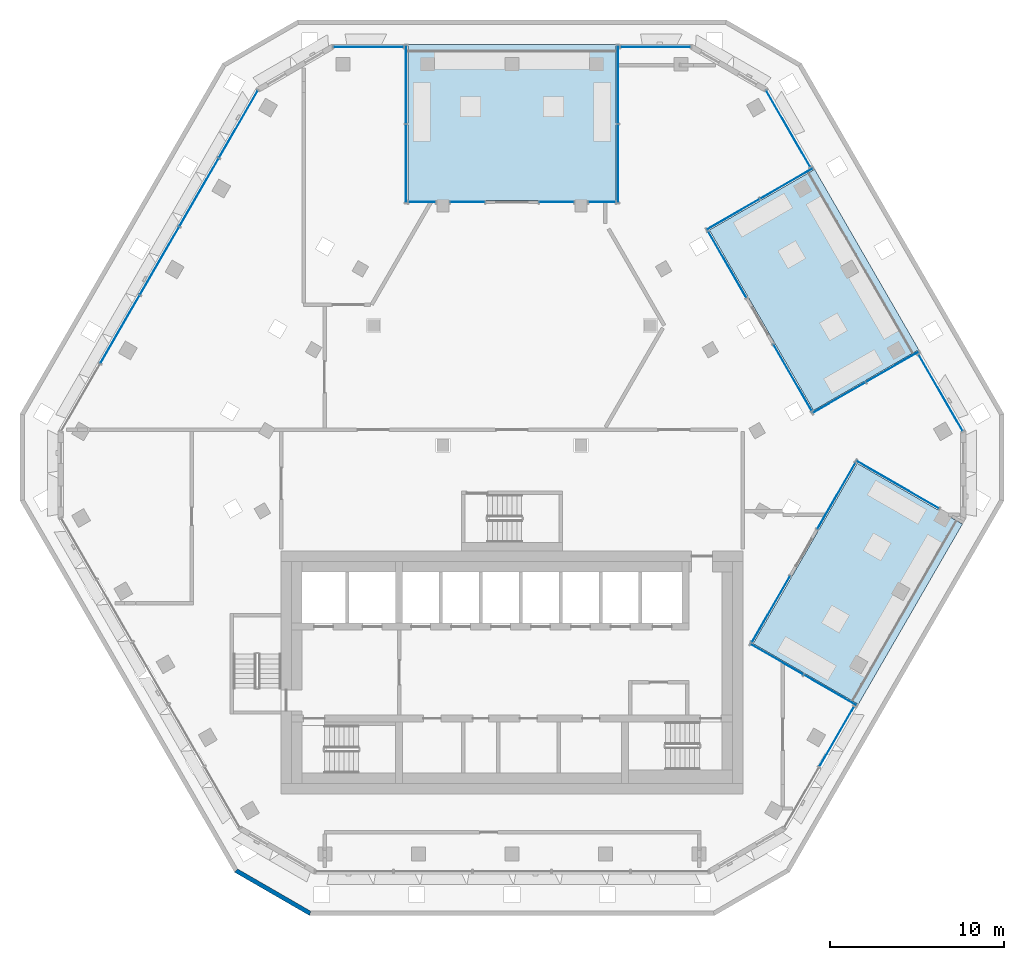
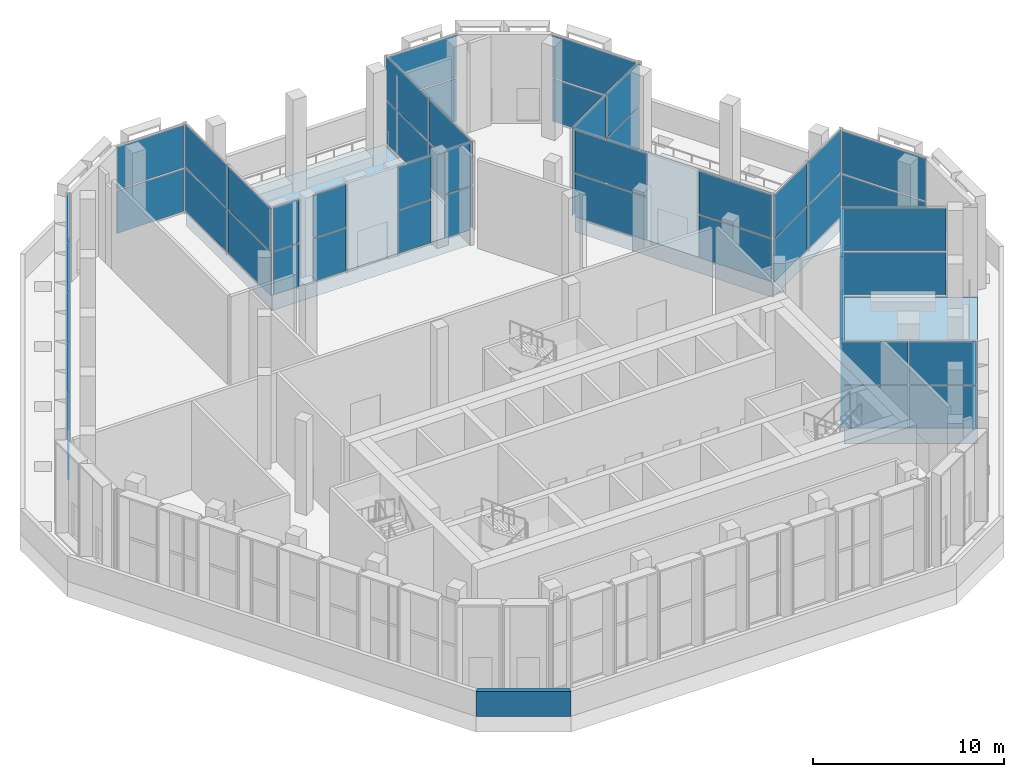
# One storey, part 7 of 23: 55 plates, 3 slabs, 1 wall, 20 elements without a shape of their own.
"""IFC4 building model written with IfcOpenShell, lengths in metres."""

from ifc_helpers import new_model, si_unit, direction, frame, origin, origin_2d, place, context, subcontext, project, spatial, polyline, rectangle, outline, extrude, material, layer, layer_set, type_object, element, aggregate, save


model = new_model("IFC4")

# Units and contexts
model_context = context("Model", 3, precision=1e-05, world=origin(), true_north=direction((0.0, 1.0)))
body_context = subcontext(model_context, "Body", "Model", "MODEL_VIEW")
ifc_project = project(units=[si_unit("LENGTHUNIT", "METRE"), si_unit("AREAUNIT", "SQUARE_METRE"), si_unit("VOLUMEUNIT", "CUBIC_METRE"), si_unit("PLANEANGLEUNIT", "RADIAN"), si_unit("MASSUNIT", "GRAM", prefix="KILO")], contexts=[model_context])

# Site, building, storey
site_placement = place(None, origin())
site = spatial("IfcSite", under=ifc_project, at=site_placement, CompositionType="ELEMENT")
building_placement = place(site_placement, origin())
building = spatial("IfcBuilding", under=site, at=building_placement, Name="Beryl Residences", CompositionType="ELEMENT")
storey_placement = place(building_placement, frame((0.0, 0.0, 157.199951171875)))
storey = spatial("IfcBuildingStorey", under=building, at=storey_placement, Name="L48", CompositionType="ELEMENT", Elevation=157.199951171875)

# Curtain wall, plates
ifc_material_1 = material(Name="Aluminium and clear glass", Category="aluminium")
curtain_wall_type = type_object("IfcCurtainWallType", Name="CW3 sky garden glazing glazed wall", PredefinedType="NOTDEFINED", material=ifc_material_1)
curtain_wall_1_placement = place(storey_placement, origin())
curtain_wall_1 = element("IfcCurtainWall", 1, at=curtain_wall_1_placement, inside=storey, type_object=curtain_wall_type, Name="CW3 L48 N", PredefinedType="NOTDEFINED")
ifc_material_2 = material(Name="Clear laminated glass", Category="glass")
ifc_layer_1 = layer(ifc_material_2, 0.028076171875)
ifc_layer_set_1 = layer_set([ifc_layer_1], Name="CW3-P glazing panel 28 mm")
plate_type = type_object("IfcPlateType", Name="CW3-P glazing panel 28 mm", PredefinedType="CURTAIN_PANEL", material=ifc_layer_set_1)
plate_1_placement = place(storey_placement, frame((8.263427734375, 24.050048828125, 0.080078125), z_axis=(0.0, 0.0, 1.0), x_axis=(-1.0, 0.0, 0.0)))
plate_1 = element("IfcPlate", 2, at=plate_1_placement, type_object=plate_type, Name="CW3 panel 1.1", PredefinedType="CURTAIN_PANEL", context=body_context, shape_type="SweptSolid", body=[
    extrude(rectangle(XDim=4.01708984375, YDim=0.028076171875, at=origin_2d()), origin(), (0.0, 0.0, 1.0), 2.72998046875),
])
plate_2_placement = place(storey_placement, frame((8.263427734375, 24.050048828125, 2.89013671875), z_axis=(0.0, 0.0, 1.0), x_axis=(-1.0, 0.0, 0.0)))
plate_2 = element("IfcPlate", 3, at=plate_2_placement, type_object=plate_type, Name="CW3 panel 1.2", PredefinedType="CURTAIN_PANEL", context=body_context, shape_type="SweptSolid", body=[
    extrude(rectangle(XDim=4.01708984375, YDim=0.028076171875, at=origin_2d()), origin(), (0.0, 0.0, 1.0), 2.72998046875),
])
aggregate(curtain_wall_1, [plate_1, plate_2])

curtain_wall_2_placement = place(storey_placement, origin())
curtain_wall_2 = element("IfcCurtainWall", 4, at=curtain_wall_2_placement, inside=storey, type_object=curtain_wall_type, Name="CW3 L48 N", PredefinedType="NOTDEFINED")
plate_3_placement = place(storey_placement, frame((-8.263427734375, 24.050048828125, 0.080078125), z_axis=(0.0, 0.0, 1.0), x_axis=(-1.0, 0.0, 0.0)))
plate_3 = element("IfcPlate", 5, at=plate_3_placement, type_object=plate_type, Name="CW3 panel 1.1", PredefinedType="CURTAIN_PANEL", context=body_context, shape_type="SweptSolid", body=[
    extrude(rectangle(XDim=4.01708984375, YDim=0.028076171875, at=origin_2d()), origin(), (0.0, 0.0, 1.0), 2.72998046875),
])
plate_4_placement = place(storey_placement, frame((-8.263427734375, 24.050048828125, 2.89013671875), z_axis=(0.0, 0.0, 1.0), x_axis=(-1.0, 0.0, 0.0)))
plate_4 = element("IfcPlate", 6, at=plate_4_placement, type_object=plate_type, Name="CW3 panel 1.2", PredefinedType="CURTAIN_PANEL", context=body_context, shape_type="SweptSolid", body=[
    extrude(rectangle(XDim=4.01708984375, YDim=0.028076171875, at=origin_2d()), origin(), (0.0, 0.0, 1.0), 2.72998046875),
])
aggregate(curtain_wall_2, [plate_3, plate_4])

curtain_wall_3_placement = place(storey_placement, origin())
curtain_wall_3 = element("IfcCurtainWall", 7, at=curtain_wall_3_placement, inside=storey, type_object=curtain_wall_type, Name="CW3 L48 NW", PredefinedType="NOTDEFINED")
plate_5_placement = place(storey_placement, frame((-15.76220703125, 19.599609375, 0.080078125), z_axis=(0.0, 0.0, 1.0), x_axis=(-0.499996022832, -0.866027699992, 0.0)))
plate_5 = element("IfcPlate", 8, at=plate_5_placement, type_object=plate_type, Name="CW3 panel 1.1", PredefinedType="CURTAIN_PANEL", context=body_context, shape_type="SweptSolid", body=[
    extrude(rectangle(XDim=4.4365234375, YDim=0.028076171875, at=origin_2d()), origin(), (0.0, 0.0, 1.0), 2.72998046875),
])
plate_6_placement = place(storey_placement, frame((-15.76220703125, 19.599609375, 2.89013671875), z_axis=(0.0, 0.0, 1.0), x_axis=(-0.499996022832, -0.866027699992, 0.0)))
plate_6 = element("IfcPlate", 9, at=plate_6_placement, type_object=plate_type, Name="CW3 panel 1.2", PredefinedType="CURTAIN_PANEL", context=body_context, shape_type="SweptSolid", body=[
    extrude(rectangle(XDim=4.4365234375, YDim=0.028076171875, at=origin_2d()), origin(), (0.0, 0.0, 1.0), 2.72998046875),
])
plate_7_placement = place(storey_placement, frame((-18.0302734375, 15.6708984375, 0.080078125), z_axis=(0.0, 0.0, 1.0), x_axis=(-0.499996022832, -0.866027699992, 0.0)))
plate_7 = element("IfcPlate", 10, at=plate_7_placement, type_object=plate_type, Name="CW3 panel 2.1", PredefinedType="CURTAIN_PANEL", context=body_context, shape_type="SweptSolid", body=[
    extrude(rectangle(XDim=4.476318359375, YDim=0.028076171875, at=origin_2d()), origin(), (0.0, 0.0, 1.0), 2.72998046875),
])
plate_8_placement = place(storey_placement, frame((-18.0302734375, 15.6708984375, 2.89013671875), z_axis=(0.0, 0.0, 1.0), x_axis=(-0.499996022832, -0.866027699992, 0.0)))
plate_8 = element("IfcPlate", 11, at=plate_8_placement, type_object=plate_type, Name="CW3 panel 2.2", PredefinedType="CURTAIN_PANEL", context=body_context, shape_type="SweptSolid", body=[
    extrude(rectangle(XDim=4.476318359375, YDim=0.028076171875, at=origin_2d()), origin(), (0.0, 0.0, 1.0), 2.72998046875),
])
plate_9_placement = place(storey_placement, frame((-20.30859375, 11.72509765625, 0.080078125), z_axis=(0.0, 0.0, 1.0), x_axis=(-0.499996022832, -0.866027699992, 0.0)))
plate_9 = element("IfcPlate", 12, at=plate_9_placement, type_object=plate_type, Name="CW3 panel 3.1", PredefinedType="CURTAIN_PANEL", context=body_context, shape_type="SweptSolid", body=[
    extrude(rectangle(XDim=4.476318359375, YDim=0.028076171875, at=origin_2d()), origin(), (0.0, 0.0, 1.0), 2.72998046875),
])
plate_10_placement = place(storey_placement, frame((-20.30859375, 11.72509765625, 2.89013671875), z_axis=(0.0, 0.0, 1.0), x_axis=(-0.499996022832, -0.866027699992, 0.0)))
plate_10 = element("IfcPlate", 13, at=plate_10_placement, type_object=plate_type, Name="CW3 panel 3.2", PredefinedType="CURTAIN_PANEL", context=body_context, shape_type="SweptSolid", body=[
    extrude(rectangle(XDim=4.476318359375, YDim=0.028076171875, at=origin_2d()), origin(), (0.0, 0.0, 1.0), 2.72998046875),
])
plate_11_placement = place(storey_placement, frame((-22.586669921875, 7.779052734375, 0.080078125), z_axis=(0.0, 0.0, 1.0), x_axis=(-0.499996022832, -0.866027699992, 0.0)))
plate_11 = element("IfcPlate", 14, at=plate_11_placement, type_object=plate_type, Name="CW3 panel 4.1", PredefinedType="CURTAIN_PANEL", context=body_context, shape_type="SweptSolid", body=[
    extrude(rectangle(XDim=4.476318359375, YDim=0.028076171875, at=origin_2d()), origin(), (0.0, 0.0, 1.0), 2.72998046875),
])
plate_12_placement = place(storey_placement, frame((-22.586669921875, 7.779052734375, 2.89013671875), z_axis=(0.0, 0.0, 1.0), x_axis=(-0.499996022832, -0.866027699992, 0.0)))
plate_12 = element("IfcPlate", 15, at=plate_12_placement, type_object=plate_type, Name="CW3 panel 4.2", PredefinedType="CURTAIN_PANEL", context=body_context, shape_type="SweptSolid", body=[
    extrude(rectangle(XDim=4.476318359375, YDim=0.028076171875, at=origin_2d()), origin(), (0.0, 0.0, 1.0), 2.72998046875),
])
aggregate(curtain_wall_3, [plate_5, plate_6, plate_7, plate_8, plate_9, plate_10, plate_11, plate_12])

# Curtain wall, plate
curtain_wall_4_placement = place(storey_placement, origin())
curtain_wall_4 = element("IfcCurtainWall", 16, at=curtain_wall_4_placement, inside=storey, type_object=curtain_wall_type, Name="CW3 L48 SE", PredefinedType="NOTDEFINED")
plate_13_placement = place(storey_placement, frame((18.707763671875, -15.696533203125, 2.89013671875), z_axis=(0.0, 0.0, 1.0), x_axis=(0.500071793615, 0.865983949754, 0.0)))
plate_13 = element("IfcPlate", 17, at=plate_13_placement, type_object=plate_type, Name="CW3 panel 2.2", PredefinedType="CURTAIN_PANEL", context=body_context, shape_type="SweptSolid", body=[
    extrude(rectangle(XDim=3.968505859375, YDim=0.028076171875, at=origin_2d()), origin(), (0.0, 0.0, 1.0), 2.72998046875),
])
aggregate(curtain_wall_4, [plate_13])

# Curtain wall, plates
curtain_wall_5_placement = place(storey_placement, origin())
curtain_wall_5 = element("IfcCurtainWall", 18, at=curtain_wall_5_placement, inside=storey, type_object=curtain_wall_type, Name="CW3 L48 NE", PredefinedType="NOTDEFINED")
plate_14_placement = place(storey_placement, frame((24.699951171875, 4.118408203125, 0.080078125), z_axis=(0.0, 0.0, 1.0), x_axis=(-0.500015649485, 0.866016368361, 0.0)))
plate_14 = element("IfcPlate", 19, at=plate_14_placement, type_object=plate_type, Name="CW3 panel 1.1", PredefinedType="CURTAIN_PANEL", context=body_context, shape_type="SweptSolid", body=[
    extrude(rectangle(XDim=5.055908203125, YDim=0.028076171875, at=origin_2d()), origin(), (0.0, 0.0, 1.0), 2.72998046875),
])
plate_15_placement = place(storey_placement, frame((24.699951171875, 4.118408203125, 2.89013671875), z_axis=(0.0, 0.0, 1.0), x_axis=(-0.500015649485, 0.866016368361, 0.0)))
plate_15 = element("IfcPlate", 20, at=plate_15_placement, type_object=plate_type, Name="CW3 panel 1.2", PredefinedType="CURTAIN_PANEL", context=body_context, shape_type="SweptSolid", body=[
    extrude(rectangle(XDim=5.055908203125, YDim=0.028076171875, at=origin_2d()), origin(), (0.0, 0.0, 1.0), 2.72998046875),
])
aggregate(curtain_wall_5, [plate_14, plate_15])

curtain_wall_6_placement = place(storey_placement, origin())
curtain_wall_6 = element("IfcCurtainWall", 21, at=curtain_wall_6_placement, inside=storey, type_object=curtain_wall_type, Name="CW3 L48 NE", PredefinedType="NOTDEFINED")
plate_16_placement = place(storey_placement, frame((15.9169921875, 19.33154296875, 0.080078125), z_axis=(0.0, 0.0, 1.0), x_axis=(-0.500015649485, 0.866016368361, 0.0)))
plate_16 = element("IfcPlate", 22, at=plate_16_placement, type_object=plate_type, Name="CW3 panel 1.1", PredefinedType="CURTAIN_PANEL", context=body_context, shape_type="SweptSolid", body=[
    extrude(rectangle(XDim=5.055908203125, YDim=0.028076171875, at=origin_2d()), origin(), (0.0, 0.0, 1.0), 2.72998046875),
])
plate_17_placement = place(storey_placement, frame((15.9169921875, 19.33154296875, 2.89013671875), z_axis=(0.0, 0.0, 1.0), x_axis=(-0.500015649485, 0.866016368361, 0.0)))
plate_17 = element("IfcPlate", 23, at=plate_17_placement, type_object=plate_type, Name="CW3 panel 1.2", PredefinedType="CURTAIN_PANEL", context=body_context, shape_type="SweptSolid", body=[
    extrude(rectangle(XDim=5.055908203125, YDim=0.028076171875, at=origin_2d()), origin(), (0.0, 0.0, 1.0), 2.72998046875),
])
aggregate(curtain_wall_6, [plate_16, plate_17])

curtain_wall_7_placement = place(storey_placement, origin())
curtain_wall_7 = element("IfcCurtainWall", 24, at=curtain_wall_7_placement, inside=storey, type_object=curtain_wall_type, Name="CW3 L48 N garden back", PredefinedType="NOTDEFINED")
plate_18_placement = place(storey_placement, frame((5.181884765625, 15.10009765625, 0.080078125), z_axis=(0.0, 0.0, 1.0), x_axis=(-1.0, 0.0, 0.0)))
plate_18 = element("IfcPlate", 25, at=plate_18_placement, type_object=plate_type, Name="CW3 panel 1.1", PredefinedType="CURTAIN_PANEL", context=body_context, shape_type="SweptSolid", body=[
    extrude(rectangle(XDim=1.52587890625, YDim=0.028076171875, at=origin_2d()), origin(), (0.0, 0.0, 1.0), 2.72998046875),
])
plate_19_placement = place(storey_placement, frame((5.181884765625, 15.10009765625, 2.89013671875), z_axis=(0.0, 0.0, 1.0), x_axis=(-1.0, 0.0, 0.0)))
plate_19 = element("IfcPlate", 26, at=plate_19_placement, type_object=plate_type, Name="CW3 panel 1.2", PredefinedType="CURTAIN_PANEL", context=body_context, shape_type="SweptSolid", body=[
    extrude(rectangle(XDim=1.52587890625, YDim=0.028076171875, at=origin_2d()), origin(), (0.0, 0.0, 1.0), 2.72998046875),
])
aggregate(curtain_wall_7, [plate_18, plate_19])

curtain_wall_8_placement = place(storey_placement, origin())
curtain_wall_8 = element("IfcCurtainWall", 27, at=curtain_wall_8_placement, inside=storey, type_object=curtain_wall_type, Name="CW3 L48 N garden back", PredefinedType="NOTDEFINED")
plate_20_placement = place(storey_placement, frame((2.564453125, 15.10009765625, 0.080078125), z_axis=(0.0, 0.0, 1.0), x_axis=(-1.0, 0.0, 0.0)))
plate_20 = element("IfcPlate", 28, at=plate_20_placement, type_object=plate_type, Name="CW3 panel 1.1", PredefinedType="CURTAIN_PANEL", context=body_context, shape_type="SweptSolid", body=[
    extrude(rectangle(XDim=1.968994140625, YDim=0.028076171875, at=origin_2d()), origin(), (0.0, 0.0, 1.0), 2.72998046875),
])
plate_21_placement = place(storey_placement, frame((2.564453125, 15.10009765625, 2.89013671875), z_axis=(0.0, 0.0, 1.0), x_axis=(-1.0, 0.0, 0.0)))
plate_21 = element("IfcPlate", 29, at=plate_21_placement, type_object=plate_type, Name="CW3 panel 1.2", PredefinedType="CURTAIN_PANEL", context=body_context, shape_type="SweptSolid", body=[
    extrude(rectangle(XDim=1.968994140625, YDim=0.028076171875, at=origin_2d()), origin(), (0.0, 0.0, 1.0), 2.72998046875),
])
aggregate(curtain_wall_8, [plate_20, plate_21])

curtain_wall_9_placement = place(storey_placement, origin())
curtain_wall_9 = element("IfcCurtainWall", 30, at=curtain_wall_9_placement, inside=storey, type_object=curtain_wall_type, Name="CW3 L48 N garden back", PredefinedType="NOTDEFINED")
plate_22_placement = place(storey_placement, frame((-2.564453125, 15.10009765625, 0.080078125), z_axis=(0.0, 0.0, 1.0), x_axis=(-1.0, 0.0, 0.0)))
plate_22 = element("IfcPlate", 31, at=plate_22_placement, type_object=plate_type, Name="CW3 panel 1.1", PredefinedType="CURTAIN_PANEL", context=body_context, shape_type="SweptSolid", body=[
    extrude(rectangle(XDim=1.968994140625, YDim=0.028076171875, at=origin_2d()), origin(), (0.0, 0.0, 1.0), 2.72998046875),
])
plate_23_placement = place(storey_placement, frame((-2.564453125, 15.10009765625, 2.89013671875), z_axis=(0.0, 0.0, 1.0), x_axis=(-1.0, 0.0, 0.0)))
plate_23 = element("IfcPlate", 32, at=plate_23_placement, type_object=plate_type, Name="CW3 panel 1.2", PredefinedType="CURTAIN_PANEL", context=body_context, shape_type="SweptSolid", body=[
    extrude(rectangle(XDim=1.968994140625, YDim=0.028076171875, at=origin_2d()), origin(), (0.0, 0.0, 1.0), 2.72998046875),
])
aggregate(curtain_wall_9, [plate_22, plate_23])

curtain_wall_10_placement = place(storey_placement, origin())
curtain_wall_10 = element("IfcCurtainWall", 33, at=curtain_wall_10_placement, inside=storey, type_object=curtain_wall_type, Name="CW3 L48 N garden back", PredefinedType="NOTDEFINED")
plate_24_placement = place(storey_placement, frame((-5.181884765625, 15.10009765625, 0.080078125), z_axis=(0.0, 0.0, 1.0), x_axis=(-1.0, 0.0, 0.0)))
plate_24 = element("IfcPlate", 34, at=plate_24_placement, type_object=plate_type, Name="CW3 panel 1.1", PredefinedType="CURTAIN_PANEL", context=body_context, shape_type="SweptSolid", body=[
    extrude(rectangle(XDim=1.52587890625, YDim=0.028076171875, at=origin_2d()), origin(), (0.0, 0.0, 1.0), 2.72998046875),
])
plate_25_placement = place(storey_placement, frame((-5.181884765625, 15.10009765625, 2.89013671875), z_axis=(0.0, 0.0, 1.0), x_axis=(-1.0, 0.0, 0.0)))
plate_25 = element("IfcPlate", 35, at=plate_25_placement, type_object=plate_type, Name="CW3 panel 1.2", PredefinedType="CURTAIN_PANEL", context=body_context, shape_type="SweptSolid", body=[
    extrude(rectangle(XDim=1.52587890625, YDim=0.028076171875, at=origin_2d()), origin(), (0.0, 0.0, 1.0), 2.72998046875),
])
aggregate(curtain_wall_10, [plate_24, plate_25])

curtain_wall_11_placement = place(storey_placement, origin())
curtain_wall_11 = element("IfcCurtainWall", 36, at=curtain_wall_11_placement, inside=storey, type_object=curtain_wall_type, Name="CW3 L48 N garden left", PredefinedType="NOTDEFINED")
plate_26_placement = place(storey_placement, frame((6.10009765625, 21.88623046875, 0.080078125), z_axis=(0.0, 0.0, 1.0), x_axis=(0.0, -1.0, 0.0)))
plate_26 = element("IfcPlate", 37, at=plate_26_placement, type_object=plate_type, Name="CW3 panel 1.1", PredefinedType="CURTAIN_PANEL", context=body_context, shape_type="SweptSolid", body=[
    extrude(rectangle(XDim=4.467529296875, YDim=0.028076171875, at=origin_2d()), origin(), (0.0, 0.0, 1.0), 2.72998046875),
])
plate_27_placement = place(storey_placement, frame((6.10009765625, 21.88623046875, 2.89013671875), z_axis=(0.0, 0.0, 1.0), x_axis=(0.0, -1.0, 0.0)))
plate_27 = element("IfcPlate", 38, at=plate_27_placement, type_object=plate_type, Name="CW3 panel 1.2", PredefinedType="CURTAIN_PANEL", context=body_context, shape_type="SweptSolid", body=[
    extrude(rectangle(XDim=4.467529296875, YDim=0.028076171875, at=origin_2d()), origin(), (0.0, 0.0, 1.0), 2.72998046875),
])
plate_28_placement = place(storey_placement, frame((6.10009765625, 17.3388671875, 0.080078125), z_axis=(0.0, 0.0, 1.0), x_axis=(0.0, -1.0, 0.0)))
plate_28 = element("IfcPlate", 39, at=plate_28_placement, type_object=plate_type, Name="CW3 panel 2.1", PredefinedType="CURTAIN_PANEL", context=body_context, shape_type="SweptSolid", body=[
    extrude(rectangle(XDim=4.467529296875, YDim=0.028076171875, at=origin_2d()), origin(), (0.0, 0.0, 1.0), 2.72998046875),
])
plate_29_placement = place(storey_placement, frame((6.10009765625, 17.3388671875, 2.89013671875), z_axis=(0.0, 0.0, 1.0), x_axis=(0.0, -1.0, 0.0)))
plate_29 = element("IfcPlate", 40, at=plate_29_placement, type_object=plate_type, Name="CW3 panel 2.2", PredefinedType="CURTAIN_PANEL", context=body_context, shape_type="SweptSolid", body=[
    extrude(rectangle(XDim=4.467529296875, YDim=0.028076171875, at=origin_2d()), origin(), (0.0, 0.0, 1.0), 2.72998046875),
])
aggregate(curtain_wall_11, [plate_26, plate_27, plate_28, plate_29])

curtain_wall_12_placement = place(storey_placement, origin())
curtain_wall_12 = element("IfcCurtainWall", 41, at=curtain_wall_12_placement, inside=storey, type_object=curtain_wall_type, Name="CW3 L48 N garden right", PredefinedType="NOTDEFINED")
plate_30_placement = place(storey_placement, frame((-6.10009765625, 21.88623046875, 0.080078125), z_axis=(0.0, 0.0, 1.0), x_axis=(0.0, -1.0, 0.0)))
plate_30 = element("IfcPlate", 42, at=plate_30_placement, type_object=plate_type, Name="CW3 panel 1.1", PredefinedType="CURTAIN_PANEL", context=body_context, shape_type="SweptSolid", body=[
    extrude(rectangle(XDim=4.467529296875, YDim=0.028076171875, at=origin_2d()), origin(), (0.0, 0.0, 1.0), 2.72998046875),
])
plate_31_placement = place(storey_placement, frame((-6.10009765625, 21.88623046875, 2.89013671875), z_axis=(0.0, 0.0, 1.0), x_axis=(0.0, -1.0, 0.0)))
plate_31 = element("IfcPlate", 43, at=plate_31_placement, type_object=plate_type, Name="CW3 panel 1.2", PredefinedType="CURTAIN_PANEL", context=body_context, shape_type="SweptSolid", body=[
    extrude(rectangle(XDim=4.467529296875, YDim=0.028076171875, at=origin_2d()), origin(), (0.0, 0.0, 1.0), 2.72998046875),
])
plate_32_placement = place(storey_placement, frame((-6.10009765625, 17.3388671875, 0.080078125), z_axis=(0.0, 0.0, 1.0), x_axis=(0.0, -1.0, 0.0)))
plate_32 = element("IfcPlate", 44, at=plate_32_placement, type_object=plate_type, Name="CW3 panel 2.1", PredefinedType="CURTAIN_PANEL", context=body_context, shape_type="SweptSolid", body=[
    extrude(rectangle(XDim=4.467529296875, YDim=0.028076171875, at=origin_2d()), origin(), (0.0, 0.0, 1.0), 2.72998046875),
])
plate_33_placement = place(storey_placement, frame((-6.10009765625, 17.3388671875, 2.89013671875), z_axis=(0.0, 0.0, 1.0), x_axis=(0.0, -1.0, 0.0)))
plate_33 = element("IfcPlate", 45, at=plate_33_placement, type_object=plate_type, Name="CW3 panel 2.2", PredefinedType="CURTAIN_PANEL", context=body_context, shape_type="SweptSolid", body=[
    extrude(rectangle(XDim=4.467529296875, YDim=0.028076171875, at=origin_2d()), origin(), (0.0, 0.0, 1.0), 2.72998046875),
])
aggregate(curtain_wall_12, [plate_30, plate_31, plate_32, plate_33])

curtain_wall_13_placement = place(storey_placement, origin())
curtain_wall_13 = element("IfcCurtainWall", 46, at=curtain_wall_13_placement, inside=storey, type_object=curtain_wall_type, Name="CW3 L48 SE garden back", PredefinedType="NOTDEFINED")
plate_34_placement = place(storey_placement, frame((14.926025390625, -8.345947265625, 0.080078125), z_axis=(0.0, 0.0, 1.0), x_axis=(0.499850094856, 0.866111934263, 0.0)))
plate_34 = element("IfcPlate", 47, at=plate_34_placement, type_object=plate_type, Name="CW3 panel 1.1", PredefinedType="CURTAIN_PANEL", context=body_context, shape_type="SweptSolid", body=[
    extrude(rectangle(XDim=4.361328125, YDim=0.028076171875, at=origin_2d()), origin(), (0.0, 0.0, 1.0), 2.72998046875),
])
plate_35_placement = place(storey_placement, frame((14.926025390625, -8.345947265625, 2.89013671875), z_axis=(0.0, 0.0, 1.0), x_axis=(0.499850094856, 0.866111934263, 0.0)))
plate_35 = element("IfcPlate", 48, at=plate_35_placement, type_object=plate_type, Name="CW3 panel 1.2", PredefinedType="CURTAIN_PANEL", context=body_context, shape_type="SweptSolid", body=[
    extrude(rectangle(XDim=4.361328125, YDim=0.028076171875, at=origin_2d()), origin(), (0.0, 0.0, 1.0), 2.72998046875),
])
aggregate(curtain_wall_13, [plate_34, plate_35])

curtain_wall_14_placement = place(storey_placement, origin())
curtain_wall_14 = element("IfcCurtainWall", 49, at=curtain_wall_14_placement, inside=storey, type_object=curtain_wall_type, Name="CW3 L48 SE garden back", PredefinedType="NOTDEFINED")
plate_36_placement = place(storey_placement, frame((18.6865234375, -1.83203125, 0.080078125), z_axis=(0.0, 0.0, 1.0), x_axis=(0.500015979941, 0.866016177565, 0.0)))
plate_36 = element("IfcPlate", 50, at=plate_36_placement, type_object=plate_type, Name="CW3 panel 1.1", PredefinedType="CURTAIN_PANEL", context=body_context, shape_type="SweptSolid", body=[
    extrude(rectangle(XDim=4.36181640625, YDim=0.028076171875, at=origin_2d()), origin(), (0.0, 0.0, 1.0), 2.72998046875),
])
plate_37_placement = place(storey_placement, frame((18.6865234375, -1.83203125, 2.89013671875), z_axis=(0.0, 0.0, 1.0), x_axis=(0.500015979941, 0.866016177565, 0.0)))
plate_37 = element("IfcPlate", 51, at=plate_37_placement, type_object=plate_type, Name="CW3 panel 1.2", PredefinedType="CURTAIN_PANEL", context=body_context, shape_type="SweptSolid", body=[
    extrude(rectangle(XDim=4.36181640625, YDim=0.028076171875, at=origin_2d()), origin(), (0.0, 0.0, 1.0), 2.72998046875),
])
aggregate(curtain_wall_14, [plate_36, plate_37])

curtain_wall_15_placement = place(storey_placement, origin())
curtain_wall_15 = element("IfcCurtainWall", 52, at=curtain_wall_15_placement, inside=storey, type_object=curtain_wall_type, Name="CW3 L48 SE garden left", PredefinedType="NOTDEFINED")
plate_38_placement = place(storey_placement, frame((18.336181640625, -13.011962890625, 0.080078125), z_axis=(0.0, 0.0, 1.0), x_axis=(-0.866004557823, 0.500036104527, 0.0)))
plate_38 = element("IfcPlate", 53, at=plate_38_placement, type_object=plate_type, Name="CW3 panel 1.1", PredefinedType="CURTAIN_PANEL", context=body_context, shape_type="SweptSolid", body=[
    extrude(rectangle(XDim=3.4677734375, YDim=0.028076171875, at=origin_2d()), origin(), (0.0, 0.0, 1.0), 2.72998046875),
])
plate_39_placement = place(storey_placement, frame((18.336181640625, -13.011962890625, 2.89013671875), z_axis=(0.0, 0.0, 1.0), x_axis=(-0.866004557823, 0.500036104527, 0.0)))
plate_39 = element("IfcPlate", 54, at=plate_39_placement, type_object=plate_type, Name="CW3 panel 1.2", PredefinedType="CURTAIN_PANEL", context=body_context, shape_type="SweptSolid", body=[
    extrude(rectangle(XDim=3.4677734375, YDim=0.028076171875, at=origin_2d()), origin(), (0.0, 0.0, 1.0), 2.72998046875),
])
plate_40_placement = place(storey_placement, frame((15.263916015625, -11.238037109375, 0.080078125), z_axis=(0.0, 0.0, 1.0), x_axis=(-0.866004557823, 0.500036104527, 0.0)))
plate_40 = element("IfcPlate", 55, at=plate_40_placement, type_object=plate_type, Name="CW3 panel 2.1", PredefinedType="CURTAIN_PANEL", context=body_context, shape_type="SweptSolid", body=[
    extrude(rectangle(XDim=3.4677734375, YDim=0.028076171875, at=origin_2d()), origin(), (0.0, 0.0, 1.0), 2.72998046875),
])
plate_41_placement = place(storey_placement, frame((15.263916015625, -11.238037109375, 2.89013671875), z_axis=(0.0, 0.0, 1.0), x_axis=(-0.866004557823, 0.500036104527, 0.0)))
plate_41 = element("IfcPlate", 56, at=plate_41_placement, type_object=plate_type, Name="CW3 panel 2.2", PredefinedType="CURTAIN_PANEL", context=body_context, shape_type="SweptSolid", body=[
    extrude(rectangle(XDim=3.4677734375, YDim=0.028076171875, at=origin_2d()), origin(), (0.0, 0.0, 1.0), 2.72998046875),
])
aggregate(curtain_wall_15, [plate_38, plate_39, plate_40, plate_41])

curtain_wall_16_placement = place(storey_placement, origin())
curtain_wall_16 = element("IfcCurtainWall", 57, at=curtain_wall_16_placement, inside=storey, type_object=curtain_wall_type, Name="CW3 L48 SE garden right", PredefinedType="NOTDEFINED")
plate_42_placement = place(storey_placement, frame((22.222900390625, -1.177001953125, 0.080078125), z_axis=(0.0, 0.0, 1.0), x_axis=(-0.866067086515, 0.499927796442, 0.0)))
plate_42 = element("IfcPlate", 58, at=plate_42_placement, type_object=plate_type, Name="CW3 panel 1.1", PredefinedType="CURTAIN_PANEL", context=body_context, shape_type="SweptSolid", body=[
    extrude(rectangle(XDim=5.460693359375, YDim=0.028076171875, at=origin_2d()), origin(), (0.0, 0.0, 1.0), 2.72998046875),
])
plate_43_placement = place(storey_placement, frame((22.222900390625, -1.177001953125, 2.89013671875), z_axis=(0.0, 0.0, 1.0), x_axis=(-0.866067086515, 0.499927796442, 0.0)))
plate_43 = element("IfcPlate", 59, at=plate_43_placement, type_object=plate_type, Name="CW3 panel 1.2", PredefinedType="CURTAIN_PANEL", context=body_context, shape_type="SweptSolid", body=[
    extrude(rectangle(XDim=5.460693359375, YDim=0.028076171875, at=origin_2d()), origin(), (0.0, 0.0, 1.0), 2.72998046875),
])
aggregate(curtain_wall_16, [plate_42, plate_43])

curtain_wall_17_placement = place(storey_placement, origin())
curtain_wall_17 = element("IfcCurtainWall", 60, at=curtain_wall_17_placement, inside=storey, type_object=curtain_wall_type, Name="CW3 L48 NE garden back", PredefinedType="NOTDEFINED")
plate_44_placement = place(storey_placement, frame((16.17041015625, 4.991455078125, 0.080078125), z_axis=(0.0, 0.0, 1.0), x_axis=(-0.500060373122, 0.86599054454, 0.0)))
plate_44 = element("IfcPlate", 61, at=plate_44_placement, type_object=plate_type, Name="CW3 panel 1.1", PredefinedType="CURTAIN_PANEL", context=body_context, shape_type="SweptSolid", body=[
    extrude(rectangle(XDim=4.365478515625, YDim=0.028076171875, at=origin_2d()), origin(), (0.0, 0.0, 1.0), 2.72998046875),
])
plate_45_placement = place(storey_placement, frame((16.17041015625, 4.991455078125, 2.89013671875), z_axis=(0.0, 0.0, 1.0), x_axis=(-0.500060373122, 0.86599054454, 0.0)))
plate_45 = element("IfcPlate", 62, at=plate_45_placement, type_object=plate_type, Name="CW3 panel 1.2", PredefinedType="CURTAIN_PANEL", context=body_context, shape_type="SweptSolid", body=[
    extrude(rectangle(XDim=4.365478515625, YDim=0.028076171875, at=origin_2d()), origin(), (0.0, 0.0, 1.0), 2.72998046875),
])
aggregate(curtain_wall_17, [plate_44, plate_45])

curtain_wall_18_placement = place(storey_placement, origin())
curtain_wall_18 = element("IfcCurtainWall", 63, at=curtain_wall_18_placement, inside=storey, type_object=curtain_wall_type, Name="CW3 L48 NE garden back", PredefinedType="NOTDEFINED")
plate_46_placement = place(storey_placement, frame((12.407958984375, 11.508544921875, 0.080078125), z_axis=(0.0, 0.0, 1.0), x_axis=(-0.499894629762, 0.866086230773, 0.0)))
plate_46 = element("IfcPlate", 64, at=plate_46_placement, type_object=plate_type, Name="CW3 panel 1.1", PredefinedType="CURTAIN_PANEL", context=body_context, shape_type="SweptSolid", body=[
    extrude(rectangle(XDim=4.364990234375, YDim=0.028076171875, at=origin_2d()), origin(), (0.0, 0.0, 1.0), 2.72998046875),
])
plate_47_placement = place(storey_placement, frame((12.407958984375, 11.508544921875, 2.89013671875), z_axis=(0.0, 0.0, 1.0), x_axis=(-0.499894629762, 0.866086230773, 0.0)))
plate_47 = element("IfcPlate", 65, at=plate_47_placement, type_object=plate_type, Name="CW3 panel 1.2", PredefinedType="CURTAIN_PANEL", context=body_context, shape_type="SweptSolid", body=[
    extrude(rectangle(XDim=4.364990234375, YDim=0.028076171875, at=origin_2d()), origin(), (0.0, 0.0, 1.0), 2.72998046875),
])
aggregate(curtain_wall_18, [plate_46, plate_47])

curtain_wall_19_placement = place(storey_placement, origin())
curtain_wall_19 = element("IfcCurtainWall", 66, at=curtain_wall_19_placement, inside=storey, type_object=curtain_wall_type, Name="CW3 L48 NE garden left", PredefinedType="NOTDEFINED")
plate_48_placement = place(storey_placement, frame((21.917236328125, 5.6103515625, 0.080078125), z_axis=(0.0, 0.0, 1.0), x_axis=(-0.866064904776, -0.499931576033, 0.0)))
plate_48 = element("IfcPlate", 67, at=plate_48_placement, type_object=plate_type, Name="CW3 panel 1.1", PredefinedType="CURTAIN_PANEL", context=body_context, shape_type="SweptSolid", body=[
    extrude(rectangle(XDim=3.467529296875, YDim=0.028076171875, at=origin_2d()), origin(), (0.0, 0.0, 1.0), 2.72998046875),
])
plate_49_placement = place(storey_placement, frame((21.917236328125, 5.6103515625, 2.89013671875), z_axis=(0.0, 0.0, 1.0), x_axis=(-0.866064904776, -0.499931576033, 0.0)))
plate_49 = element("IfcPlate", 68, at=plate_49_placement, type_object=plate_type, Name="CW3 panel 1.2", PredefinedType="CURTAIN_PANEL", context=body_context, shape_type="SweptSolid", body=[
    extrude(rectangle(XDim=3.467529296875, YDim=0.028076171875, at=origin_2d()), origin(), (0.0, 0.0, 1.0), 2.72998046875),
])
plate_50_placement = place(storey_placement, frame((18.8447265625, 3.836669921875, 0.080078125), z_axis=(0.0, 0.0, 1.0), x_axis=(-0.866064904776, -0.499931576033, 0.0)))
plate_50 = element("IfcPlate", 69, at=plate_50_placement, type_object=plate_type, Name="CW3 panel 2.1", PredefinedType="CURTAIN_PANEL", context=body_context, shape_type="SweptSolid", body=[
    extrude(rectangle(XDim=3.467529296875, YDim=0.028076171875, at=origin_2d()), origin(), (0.0, 0.0, 1.0), 2.72998046875),
])
plate_51_placement = place(storey_placement, frame((18.8447265625, 3.836669921875, 2.89013671875), z_axis=(0.0, 0.0, 1.0), x_axis=(-0.866064904776, -0.499931576033, 0.0)))
plate_51 = element("IfcPlate", 70, at=plate_51_placement, type_object=plate_type, Name="CW3 panel 2.2", PredefinedType="CURTAIN_PANEL", context=body_context, shape_type="SweptSolid", body=[
    extrude(rectangle(XDim=3.467529296875, YDim=0.028076171875, at=origin_2d()), origin(), (0.0, 0.0, 1.0), 2.72998046875),
])
aggregate(curtain_wall_19, [plate_48, plate_49, plate_50, plate_51])

curtain_wall_20_placement = place(storey_placement, origin())
curtain_wall_20 = element("IfcCurtainWall", 71, at=curtain_wall_20_placement, inside=storey, type_object=curtain_wall_type, Name="CW3 L48 NE garden right", PredefinedType="NOTDEFINED")
plate_52_placement = place(storey_placement, frame((15.817138671875, 16.176025390625, 0.080078125), z_axis=(0.0, 0.0, 1.0), x_axis=(-0.866004557823, -0.500036104527, 0.0)))
plate_52 = element("IfcPlate", 72, at=plate_52_placement, type_object=plate_type, Name="CW3 panel 1.1", PredefinedType="CURTAIN_PANEL", context=body_context, shape_type="SweptSolid", body=[
    extrude(rectangle(XDim=3.4677734375, YDim=0.028076171875, at=origin_2d()), origin(), (0.0, 0.0, 1.0), 2.72998046875),
])
plate_53_placement = place(storey_placement, frame((15.817138671875, 16.176025390625, 2.89013671875), z_axis=(0.0, 0.0, 1.0), x_axis=(-0.866004557823, -0.500036104527, 0.0)))
plate_53 = element("IfcPlate", 73, at=plate_53_placement, type_object=plate_type, Name="CW3 panel 1.2", PredefinedType="CURTAIN_PANEL", context=body_context, shape_type="SweptSolid", body=[
    extrude(rectangle(XDim=3.4677734375, YDim=0.028076171875, at=origin_2d()), origin(), (0.0, 0.0, 1.0), 2.72998046875),
])
plate_54_placement = place(storey_placement, frame((12.744873046875, 14.402099609375, 0.080078125), z_axis=(0.0, 0.0, 1.0), x_axis=(-0.866004557823, -0.500036104527, 0.0)))
plate_54 = element("IfcPlate", 74, at=plate_54_placement, type_object=plate_type, Name="CW3 panel 2.1", PredefinedType="CURTAIN_PANEL", context=body_context, shape_type="SweptSolid", body=[
    extrude(rectangle(XDim=3.4677734375, YDim=0.028076171875, at=origin_2d()), origin(), (0.0, 0.0, 1.0), 2.72998046875),
])
plate_55_placement = place(storey_placement, frame((12.744873046875, 14.402099609375, 2.89013671875), z_axis=(0.0, 0.0, 1.0), x_axis=(-0.866004557823, -0.500036104527, 0.0)))
plate_55 = element("IfcPlate", 75, at=plate_55_placement, type_object=plate_type, Name="CW3 panel 2.2", PredefinedType="CURTAIN_PANEL", context=body_context, shape_type="SweptSolid", body=[
    extrude(rectangle(XDim=3.4677734375, YDim=0.028076171875, at=origin_2d()), origin(), (0.0, 0.0, 1.0), 2.72998046875),
])
aggregate(curtain_wall_20, [plate_52, plate_53, plate_54, plate_55])

# Slabs
ifc_material_3 = material(Name="Concrete C60/75", Category="concrete")
ifc_layer_2 = layer(ifc_material_3, 1.0)
ifc_layer_set_2 = layer_set([ifc_layer_2], Name="SL10 garden slab 1000 mm C60/75")
slab_type = type_object("IfcSlabType", Name="SL10 garden slab 1000 mm C60/75", PredefinedType="FLOOR", material=ifc_layer_set_2)
slab_1_placement = place(storey_placement, frame((0.0, 0.0, -1.0)))
element("IfcSlab", 76, at=slab_1_placement, inside=storey, type_object=slab_type, Name="garden L48 N 1", PredefinedType="FLOOR", context=body_context, shape_type="SweptSolid", body=[
    extrude(outline(polyline([(-6.0, 24.199951171875), (6.0, 24.199951171875), (6.0, 15.199951171875), (-6.0, 15.199951171875), (-6.0, 24.199951171875)])), origin(), (0.0, 0.0, 1.0), 1.0),
])
slab_2_placement = place(storey_placement, frame((0.0, 0.0, -1.0)))
element("IfcSlab", 77, at=slab_2_placement, inside=storey, type_object=slab_type, Name="garden L48 SE 1", PredefinedType="FLOOR", context=body_context, shape_type="SweptSolid", body=[
    extrude(outline(polyline([(25.953857421875, -3.446533203125), (19.957275390625, -13.832275390625), (13.89501953125, -10.33203125), (19.89111328125, 0.053955078125), (25.953857421875, -3.446533203125)])), origin(), (0.0, 0.0, 1.0), 1.0),
])
slab_3_placement = place(storey_placement, frame((0.0, 0.0, -1.0)))
element("IfcSlab", 78, at=slab_3_placement, inside=storey, type_object=slab_type, Name="garden L48 NE 1", PredefinedType="FLOOR", context=body_context, shape_type="SweptSolid", body=[
    extrude(outline(polyline([(17.43798828125, 16.99609375), (23.43798828125, 6.60400390625), (17.3759765625, 3.10400390625), (11.3759765625, 13.49609375), (17.43798828125, 16.99609375)])), origin(), (0.0, 0.0, 1.0), 1.0),
])

# Wall
ifc_material_4 = material(Name="Precast concrete C40/50", Category="concrete")
ifc_layer_3 = layer(ifc_material_4, 0.25)
ifc_layer_set_3 = layer_set([ifc_layer_3], Name="PA1 roof parapet 250 mm")
wall_type = type_object("IfcWallType", Name="PA1 roof parapet 250 mm", PredefinedType="PARAPET", material=ifc_layer_set_3)
wall_placement = place(storey_placement, frame((-11.60009765625, -25.89208984375, 0.0), z_axis=(0.0, 0.0, 1.0), x_axis=(-0.865877295069, 0.50025644412, 0.0)))
element("IfcWall", 79, at=wall_placement, inside=storey, type_object=wall_type, Name="PA1 parapet L48 strip 7", PredefinedType="PARAPET", context=body_context, shape_type="SweptSolid", body=[
    extrude(outline(polyline([(0.06689453125, -0.125), (4.932373046875, -0.125), (4.999267578125, 0.125), (0.0, 0.125), (0.06689453125, -0.125)])), origin(), (0.0, 0.0, 1.0), 1.60009765625),
])

save(model, "model.ifc")
